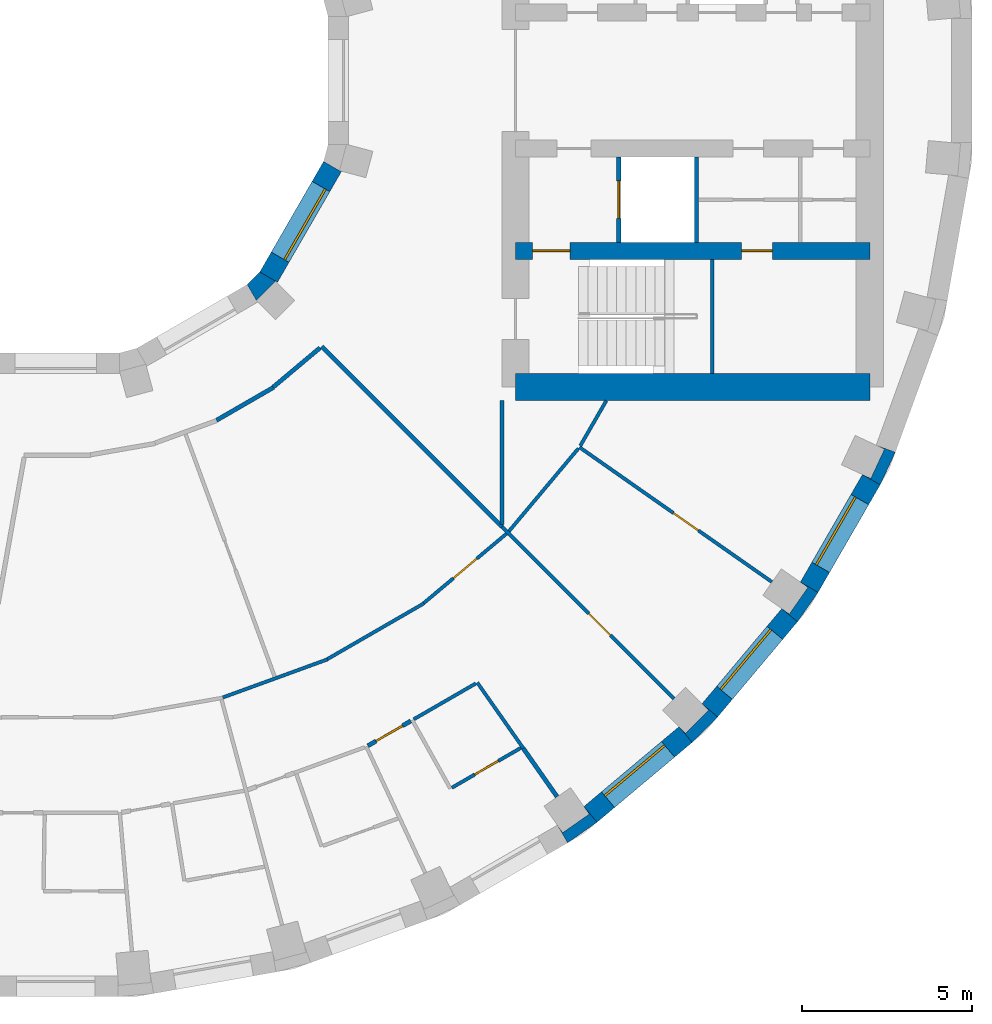
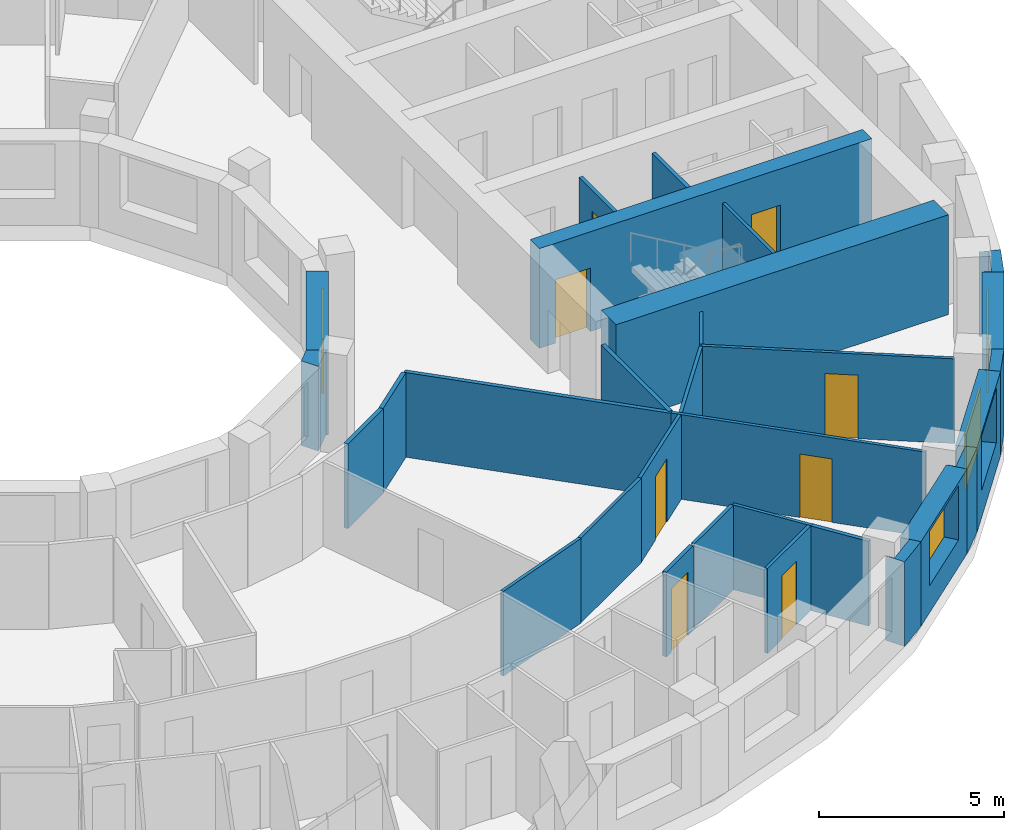
# One storey, part 8 of 14: 30 walls, 8 doors, 4 windows, 12 openings.
"""IFC4 building model written with IfcOpenShell, lengths in metres."""

from ifc_helpers import new_model, si_unit, direction, frame, frame_2d, origin, place, context, subcontext, project, spatial, polyline, rectangle, outline, extrude, material, layer, layer_set, type_object, element, fill, save


model = new_model("IFC4")

# Units and contexts
model_context = context("Model", 3, precision=1e-05, world=origin(), true_north=direction((0.0, 1.0)))
body_context = subcontext(model_context, "Body", "Model", "MODEL_VIEW")
ifc_project = project(units=[si_unit("LENGTHUNIT", "METRE"), si_unit("AREAUNIT", "SQUARE_METRE"), si_unit("VOLUMEUNIT", "CUBIC_METRE"), si_unit("PLANEANGLEUNIT", "RADIAN"), si_unit("MASSUNIT", "GRAM", prefix="KILO")], contexts=[model_context])

# Site, building, storey
site_placement = place(None, origin())
site = spatial("IfcSite", under=ifc_project, at=site_placement, CompositionType="ELEMENT")
building_placement = place(site_placement, origin())
building = spatial("IfcBuilding", under=site, at=building_placement, Name="Saqina Gate Tower", CompositionType="ELEMENT")
storey_placement = place(building_placement, frame((0.0, 0.0, 95.199951171875)))
storey = spatial("IfcBuildingStorey", under=building, at=storey_placement, Name="L26", CompositionType="ELEMENT", Elevation=95.199951171875)

# Walls
ifc_material_1 = material(Name="Brick masonry (buff)", Category="masonry")
wall_type_1 = type_object("IfcWallType", Name="BRICK PIER COPING BUFF", PredefinedType="SOLIDWALL", material=ifc_material_1)
wall_1_placement = place(storey_placement, origin())
element("IfcWall", 1, at=wall_1_placement, inside=storey, type_object=wall_type_1, Name="Pier cap L26 column 31", PredefinedType="SOLIDWALL", context=body_context, shape_type="SweptSolid", body=[
    extrude(outline(polyline([(15.89208984375, -21.77685546875), (15.50634765625, -21.317138671875), (15.66064453125, -21.53759765625), (14.88232421875, -22.08251953125), (14.728271484375, -21.862060546875), (15.0283203125, -22.3818359375), (15.89208984375, -21.77685546875)])), origin(), (0.0, 0.0, 1.0), 2.800048828125),
])
wall_2_placement = place(storey_placement, origin())
element("IfcWall", 2, at=wall_2_placement, inside=storey, type_object=wall_type_1, Name="Pier cap L26 column 32", PredefinedType="SOLIDWALL", context=body_context, shape_type="SweptSolid", body=[
    extrude(outline(polyline([(18.686279296875, -19.43212890625), (19.43212890625, -18.686279296875), (18.972412109375, -18.30078125), (19.16259765625, -18.49072265625), (18.49072265625, -19.16259765625), (18.30078125, -18.972412109375), (18.686279296875, -19.43212890625)])), origin(), (0.0, 0.0, 1.0), 2.800048828125),
])
wall_3_placement = place(storey_placement, origin())
element("IfcWall", 3, at=wall_3_placement, inside=storey, type_object=wall_type_1, Name="Pier cap L26 column 33", PredefinedType="SOLIDWALL", context=body_context, shape_type="SweptSolid", body=[
    extrude(outline(polyline([(22.3818359375, -15.0283203125), (21.862060546875, -14.728271484375), (22.08251953125, -14.88232421875), (21.53759765625, -15.66064453125), (21.317138671875, -15.50634765625), (21.77685546875, -15.89208984375), (22.3818359375, -15.0283203125)])), origin(), (0.0, 0.0, 1.0), 2.800048828125),
])
wall_4_placement = place(storey_placement, origin())
element("IfcWall", 4, at=wall_4_placement, inside=storey, type_object=wall_type_1, Name="Pier cap L26 column 34", PredefinedType="SOLIDWALL", context=body_context, shape_type="SweptSolid", body=[
    extrude(outline(polyline([(24.6513671875, -10.913330078125), (24.08740234375, -10.7080078125), (24.331298828125, -10.82177734375), (23.9296875, -11.6826171875), (23.68603515625, -11.569091796875), (24.205810546875, -11.869140625), (24.6513671875, -10.913330078125)])), origin(), (0.0, 0.0, 1.0), 2.800048828125),
])

# Wall, opening, window
ifc_material_2 = material(Name="Brick masonry (buff)", Category="masonry")
ifc_layer_1 = layer(ifc_material_2, 0.60009765625)
ifc_layer_set_1 = layer_set([ifc_layer_1], Name="FW-BRICK-BUFF")
wall_type_2 = type_object("IfcWallType", Name="FW-BRICK-BUFF", PredefinedType="SOLIDWALL", material=ifc_layer_set_1)
wall_5_placement = place(storey_placement, frame((15.69921875, -21.547119140625, 0.0), z_axis=(0.0, 0.0, 1.0), x_axis=(0.766055462616, 0.642774476932, 0.0)))
wall_5 = element("IfcWall", 5, at=wall_5_placement, inside=storey, type_object=wall_type_2, Name="Facade wall L26 facet 31", PredefinedType="SOLIDWALL", context=body_context, shape_type="SweptSolid", body=[
    extrude(rectangle(XDim=3.647705078125, YDim=0.60009765625, at=frame_2d((1.82373046875, 0.0))), origin(), (0.0, 0.0, 1.0), 2.800048828125),
])
opening_1_placement = place(wall_5_placement, frame((0.673828125, 0.0, 0.89990234375)))
opening_1 = element("IfcOpeningElement", 6, at=opening_1_placement, cuts=wall_5, Name="Opening G07-W20", PredefinedType="OPENING", context=body_context, shape_type="SweptSolid", body=[
    extrude(rectangle(XDim=2.300048828125, YDim=1.800048828125, at=frame_2d((1.14990234375, 0.89990234375))), frame((0.0, 0.31201171875, 0.0), z_axis=(0.0, -1.0, 0.0), x_axis=(1.0, 0.0, 0.0)), (0.0, 0.0, 1.0), 0.6240234375),
])
ifc_material_3 = material(Name="Aluminium glazing", Category="aluminium")
window_type_1 = type_object("IfcWindowType", Name="WN-B", PartitioningType="SINGLE_PANEL", PredefinedType="WINDOW", material=ifc_material_3)
window_1_placement = place(opening_1_placement, origin())
window_1 = element("IfcWindow", 7, at=window_1_placement, inside=storey, type_object=window_type_1, Name="Window L26 facet 31", OverallHeight=1.800048828125, OverallWidth=2.300048828125, PartitioningType="SINGLE_PANEL", PredefinedType="WINDOW", context=body_context, shape_type="SweptSolid", body=[
    extrude(rectangle(XDim=2.300048828125, YDim=1.800048828125, at=frame_2d((1.14990234375, 0.89990234375))), frame((0.0, 0.179931640625, 0.0), z_axis=(0.0, -1.0, 0.0), x_axis=(1.0, 0.0, 0.0)), (0.0, 0.0, 1.0), 0.06005859375),
])
fill(opening_1, window_1)

wall_6_placement = place(storey_placement, frame((19.202392578125, -18.49365234375, 0.0), z_axis=(0.0, 0.0, 1.0), x_axis=(0.642774476932, 0.766055462616, 0.0)))
wall_6 = element("IfcWall", 8, at=wall_6_placement, inside=storey, type_object=wall_type_2, Name="Facade wall L26 facet 32", PredefinedType="SOLIDWALL", context=body_context, shape_type="SweptSolid", body=[
    extrude(rectangle(XDim=3.647705078125, YDim=0.60009765625, at=frame_2d((1.82373046875, 0.0))), origin(), (0.0, 0.0, 1.0), 2.800048828125),
])
opening_2_placement = place(wall_6_placement, frame((0.673828125, 0.0, 0.89990234375)))
opening_2 = element("IfcOpeningElement", 9, at=opening_2_placement, cuts=wall_6, Name="Opening G07-W21", PredefinedType="OPENING", context=body_context, shape_type="SweptSolid", body=[
    extrude(rectangle(XDim=2.300048828125, YDim=1.800048828125, at=frame_2d((1.14990234375, 0.89990234375))), frame((0.0, 0.31201171875, 0.0), z_axis=(0.0, -1.0, 0.0), x_axis=(1.0, 0.0, 0.0)), (0.0, 0.0, 1.0), 0.6240234375),
])
window_2_placement = place(opening_2_placement, origin())
window_2 = element("IfcWindow", 10, at=window_2_placement, inside=storey, type_object=window_type_1, Name="Window L26 facet 32", OverallHeight=1.800048828125, OverallWidth=2.300048828125, PartitioningType="SINGLE_PANEL", PredefinedType="WINDOW", context=body_context, shape_type="SweptSolid", body=[
    extrude(rectangle(XDim=2.300048828125, YDim=1.800048828125, at=frame_2d((1.14990234375, 0.89990234375))), frame((0.0, 0.179931640625, 0.0), z_axis=(0.0, -1.0, 0.0), x_axis=(1.0, 0.0, 0.0)), (0.0, 0.0, 1.0), 0.06005859375),
])
fill(opening_2, window_2)

wall_7_placement = place(storey_placement, frame((22.1220703125, -14.878173828125, 0.0), z_axis=(0.0, 0.0, 1.0), x_axis=(0.499954196102, 0.866051847062, 0.0)))
wall_7 = element("IfcWall", 11, at=wall_7_placement, inside=storey, type_object=wall_type_2, Name="Facade wall L26 facet 33", PredefinedType="SOLIDWALL", context=body_context, shape_type="SweptSolid", body=[
    extrude(rectangle(XDim=3.647705078125, YDim=0.60009765625, at=frame_2d((1.82373046875, 0.0))), origin(), (0.0, 0.0, 1.0), 2.800048828125),
])
opening_3_placement = place(wall_7_placement, frame((0.673828125, 0.0, 0.89990234375)))
opening_3 = element("IfcOpeningElement", 12, at=opening_3_placement, cuts=wall_7, Name="Opening G07-W22", PredefinedType="OPENING", context=body_context, shape_type="SweptSolid", body=[
    extrude(rectangle(XDim=2.300048828125, YDim=1.800048828125, at=frame_2d((1.14990234375, 0.89990234375))), frame((0.0, 0.31201171875, 0.0), z_axis=(0.0, -1.0, 0.0), x_axis=(1.0, 0.0, 0.0)), (0.0, 0.0, 1.0), 0.6240234375),
])
window_3_placement = place(opening_3_placement, origin())
window_3 = element("IfcWindow", 13, at=window_3_placement, inside=storey, type_object=window_type_1, Name="Window L26 facet 33", OverallHeight=1.800048828125, OverallWidth=2.300048828125, PartitioningType="SINGLE_PANEL", PredefinedType="WINDOW", context=body_context, shape_type="SweptSolid", body=[
    extrude(rectangle(XDim=2.300048828125, YDim=1.800048828125, at=frame_2d((1.14990234375, 0.89990234375))), frame((0.0, 0.179931640625, 0.0), z_axis=(0.0, -1.0, 0.0), x_axis=(1.0, 0.0, 0.0)), (0.0, 0.0, 1.0), 0.06005859375),
])
fill(opening_3, window_3)

ifc_material_4 = material(Name="Glazed ceramic tile", Category="ceramic")
ifc_layer_2 = layer(ifc_material_4, 0.60009765625)
ifc_layer_set_2 = layer_set([ifc_layer_2], Name="IW-TILE")
wall_type_3 = type_object("IfcWallType", Name="IW-TILE", PredefinedType="SOLIDWALL", material=ifc_layer_set_2)
wall_8_placement = place(storey_placement, frame((6.251220703125, -5.772705078125, 0.0), z_axis=(0.0, 0.0, 1.0), x_axis=(0.499964958637, 0.86604563398, 0.0)))
wall_8 = element("IfcWall", 14, at=wall_8_placement, inside=storey, type_object=wall_type_3, Name="Well wall L26 facet 11", PredefinedType="SOLIDWALL", context=body_context, shape_type="SweptSolid", body=[
    extrude(rectangle(XDim=3.747314453125, YDim=0.60009765625, at=frame_2d((1.87353515625, 0.0))), origin(), (0.0, 0.0, 1.0), 2.800048828125),
])
opening_4_placement = place(wall_8_placement, frame((0.673583984375, 0.0, 0.89990234375)))
opening_4 = element("IfcOpeningElement", 15, at=opening_4_placement, cuts=wall_8, Name="Opening G07-W33", PredefinedType="OPENING", context=body_context, shape_type="SweptSolid", body=[
    extrude(rectangle(XDim=2.39990234375, YDim=1.800048828125, at=frame_2d((1.199951171875, 0.89990234375))), frame((0.0, 0.31201171875, 0.0), z_axis=(0.0, -1.0, 0.0), x_axis=(1.0, 0.0, 0.0)), (0.0, 0.0, 1.0), 0.6240234375),
])
ifc_material_5 = material(Name="Aluminium glazing", Category="aluminium")
window_type_2 = type_object("IfcWindowType", Name="WN-W", PartitioningType="SINGLE_PANEL", PredefinedType="WINDOW", material=ifc_material_5)
window_4_placement = place(opening_4_placement, origin())
window_4 = element("IfcWindow", 16, at=window_4_placement, inside=storey, type_object=window_type_2, Name="Well window L26 facet 11", OverallHeight=1.800048828125, OverallWidth=2.39990234375, PartitioningType="SINGLE_PANEL", PredefinedType="WINDOW", context=body_context, shape_type="SweptSolid", body=[
    extrude(rectangle(XDim=2.39990234375, YDim=1.800048828125, at=frame_2d((1.199951171875, 0.89990234375))), frame((0.0, -0.119873046875, 0.0), z_axis=(0.0, -1.0, 0.0), x_axis=(1.0, 0.0, 0.0)), (0.0, 0.0, 1.0), 0.06005859375),
])
fill(opening_4, window_4)

# Wall
ifc_material_6 = material(Name="Gypsum board on steel studs, 100 mm", Category="steel")
ifc_layer_3 = layer(ifc_material_6, 0.10009765625)
ifc_layer_set_3 = layer_set([ifc_layer_3], Name="PARTITION 100")
wall_type_4 = type_object("IfcWallType", Name="PARTITION 100", PredefinedType="PARTITIONING", material=ifc_layer_set_3)
wall_9_placement = place(storey_placement, frame((12.376953125, -17.677001953125, 0.0), z_axis=(0.0, 0.0, 1.0), x_axis=(0.573802663203, -0.818993591978, 0.0)))
element("IfcWall", 17, at=wall_9_placement, inside=storey, type_object=wall_type_4, Name="PARTITION PW3-14", PredefinedType="PARTITIONING", context=body_context, shape_type="SweptSolid", body=[
    extrude(rectangle(XDim=2.35888671875, YDim=0.10009765625, at=frame_2d((1.179443359375, 0.0))), origin(), (0.0, 0.0, 1.0), 2.800048828125),
])

# Wall, opening, door
wall_10_placement = place(storey_placement, frame((13.10009765625, -13.10009765625, 0.0), z_axis=(0.0, 0.0, 1.0), x_axis=(0.707106781187, -0.707106781187, 0.0)))
wall_10 = element("IfcWall", 18, at=wall_10_placement, inside=storey, type_object=wall_type_4, Name="PARTITION PW3-22", PredefinedType="PARTITIONING", context=body_context, shape_type="SweptSolid", body=[
    extrude(rectangle(XDim=7.138671875, YDim=0.10009765625, at=frame_2d((3.5693359375, 0.0))), origin(), (0.0, 0.0, 1.0), 2.800048828125),
])
opening_5_placement = place(wall_10_placement, frame((3.60888671875, 0.0, 0.0)))
opening_5 = element("IfcOpeningElement", 19, at=opening_5_placement, cuts=wall_10, Name="Opening G07-D49", PredefinedType="OPENING", context=body_context, shape_type="SweptSolid", body=[
    extrude(rectangle(XDim=0.89990234375, YDim=2.10009765625, at=frame_2d((0.449951171875, 1.050048828125))), frame((0.0, 0.06201171875, 0.0), z_axis=(0.0, -1.0, 0.0), x_axis=(1.0, 0.0, 0.0)), (0.0, 0.0, 1.0), 0.1240234375),
])
ifc_material_7 = material(Name="Timber door leaf, 900 mm", Category="wood")
door_type_1 = type_object("IfcDoorType", Name="DOOR 900 TIMBER", OperationType="SINGLE_SWING_LEFT", PredefinedType="DOOR", material=ifc_material_7)
door_1_placement = place(opening_5_placement, frame((0.89990234375, 0.0, 0.0), z_axis=(0.0, 0.0, 1.0), x_axis=(-1.0, 0.0, 0.0)))
door_1 = element("IfcDoor", 20, at=door_1_placement, inside=storey, type_object=door_type_1, Name="DOOR G07-D49", OperationType="SINGLE_SWING_LEFT", OverallHeight=2.10009765625, OverallWidth=0.89990234375, PredefinedType="DOOR", context=body_context, shape_type="SweptSolid", body=[
    extrude(rectangle(XDim=0.89990234375, YDim=2.10009765625, at=frame_2d((0.449951171875, 1.050048828125))), frame((0.0, 0.02490234375, 0.0), z_axis=(0.0, -1.0, 0.0), x_axis=(1.0, 0.0, 0.0)), (0.0, 0.0, 1.0), 0.050048828125),
])
fill(opening_5, door_1)

wall_11_placement = place(storey_placement, frame((15.3759765625, -10.76611328125, 0.0), z_axis=(0.0, 0.0, 1.0), x_axis=(0.819178682921, -0.573538390562, 0.0)))
wall_11 = element("IfcWall", 21, at=wall_11_placement, inside=storey, type_object=wall_type_4, Name="PARTITION PW3-29", PredefinedType="PARTITIONING", context=body_context, shape_type="SweptSolid", body=[
    extrude(rectangle(XDim=6.89453125, YDim=0.10009765625, at=frame_2d((3.447265625, 0.0))), origin(), (0.0, 0.0, 1.0), 2.800048828125),
])
opening_6_placement = place(wall_11_placement, frame((3.36474609375, 0.0, 0.0)))
opening_6 = element("IfcOpeningElement", 22, at=opening_6_placement, cuts=wall_11, Name="Opening G07-D50", PredefinedType="OPENING", context=body_context, shape_type="SweptSolid", body=[
    extrude(rectangle(XDim=0.89990234375, YDim=2.10009765625, at=frame_2d((0.449951171875, 1.050048828125))), frame((0.0, 0.06201171875, 0.0), z_axis=(0.0, -1.0, 0.0), x_axis=(1.0, 0.0, 0.0)), (0.0, 0.0, 1.0), 0.1240234375),
])
door_2_placement = place(opening_6_placement, origin())
door_2 = element("IfcDoor", 23, at=door_2_placement, inside=storey, type_object=door_type_1, Name="DOOR G07-D50", OperationType="SINGLE_SWING_RIGHT", OverallHeight=2.10009765625, OverallWidth=0.89990234375, PredefinedType="DOOR", context=body_context, shape_type="SweptSolid", body=[
    extrude(rectangle(XDim=0.89990234375, YDim=2.10009765625, at=frame_2d((0.449951171875, 1.050048828125))), frame((0.0, 0.02490234375, 0.0), z_axis=(0.0, -1.0, 0.0), x_axis=(1.0, 0.0, 0.0)), (0.0, 0.0, 1.0), 0.050048828125),
])
fill(opening_6, door_2)

# Wall
wall_12_placement = place(storey_placement, frame((4.905029296875, -18.114013671875, 0.0), z_axis=(0.0, 0.0, 1.0), x_axis=(0.939675767225, 0.342066444554, 0.0)))
element("IfcWall", 24, at=wall_12_placement, inside=storey, type_object=wall_type_4, Name="PARTITION PW3-67", PredefinedType="PARTITIONING", context=body_context, shape_type="SweptSolid", body=[
    extrude(rectangle(XDim=3.273193359375, YDim=0.10009765625, at=frame_2d((1.63671875, 0.0))), origin(), (0.0, 0.0, 1.0), 2.800048828125),
])

# Wall, opening, door
wall_13_placement = place(storey_placement, frame((11.63134765625, -20.762939453125, 0.0), z_axis=(0.0, 0.0, 1.0), x_axis=(0.866102146699, 0.499867053809, 0.0)))
wall_13 = element("IfcWall", 25, at=wall_13_placement, inside=storey, type_object=wall_type_4, Name="PARTITION PW3-71", PredefinedType="PARTITIONING", context=body_context, shape_type="SweptSolid", body=[
    extrude(rectangle(XDim=2.338623046875, YDim=0.10009765625, at=frame_2d((1.16943359375, 0.0))), origin(), (0.0, 0.0, 1.0), 2.800048828125),
])
opening_7_placement = place(wall_13_placement, frame((0.7705078125, 0.0, 0.0)))
opening_7 = element("IfcOpeningElement", 26, at=opening_7_placement, cuts=wall_13, Name="Opening G07-D47", PredefinedType="OPENING", context=body_context, shape_type="SweptSolid", body=[
    extrude(rectangle(XDim=0.800048828125, YDim=2.10009765625, at=frame_2d((0.39990234375, 1.050048828125))), frame((0.0, 0.06201171875, 0.0), z_axis=(0.0, -1.0, 0.0), x_axis=(1.0, 0.0, 0.0)), (0.0, 0.0, 1.0), 0.1240234375),
])
ifc_material_8 = material(Name="Timber door leaf, 800 mm", Category="wood")
door_type_2 = type_object("IfcDoorType", Name="DOOR 800 TIMBER", OperationType="SINGLE_SWING_LEFT", PredefinedType="DOOR", material=ifc_material_8)
door_3_placement = place(opening_7_placement, frame((0.800048828125, 0.0, 0.0), z_axis=(0.0, 0.0, 1.0), x_axis=(-1.0, 0.0, 0.0)))
door_3 = element("IfcDoor", 27, at=door_3_placement, inside=storey, type_object=door_type_2, Name="DOOR G07-D47", OperationType="SINGLE_SWING_LEFT", OverallHeight=2.10009765625, OverallWidth=0.800048828125, PredefinedType="DOOR", context=body_context, shape_type="SweptSolid", body=[
    extrude(rectangle(XDim=0.800048828125, YDim=2.10009765625, at=frame_2d((0.39990234375, 1.050048828125))), frame((0.0, 0.02490234375, 0.0), z_axis=(0.0, -1.0, 0.0), x_axis=(1.0, 0.0, 0.0)), (0.0, 0.0, 1.0), 0.050048828125),
])
fill(opening_7, door_3)

# Walls
wall_14_placement = place(storey_placement, frame((10.51123046875, -18.75390625, 0.0), z_axis=(0.0, 0.0, 1.0), x_axis=(0.866117845619, 0.499839851853, 0.0)))
element("IfcWall", 28, at=wall_14_placement, inside=storey, type_object=wall_type_4, Name="PARTITION PW3-72", PredefinedType="PARTITIONING", context=body_context, shape_type="SweptSolid", body=[
    extrude(rectangle(XDim=2.100341796875, YDim=0.10009765625, at=frame_2d((1.05029296875, 0.0))), origin(), (0.0, 0.0, 1.0), 2.800048828125),
])
wall_15_placement = place(storey_placement, frame((7.976318359375, -16.987060546875, 0.0), z_axis=(0.0, 0.0, 1.0), x_axis=(0.865970626093, 0.500094865745, 0.0)))
element("IfcWall", 29, at=wall_15_placement, inside=storey, type_object=wall_type_4, Name="PARTITION PW3-73", PredefinedType="PARTITIONING", context=body_context, shape_type="SweptSolid", body=[
    extrude(rectangle(XDim=3.272216796875, YDim=0.10009765625, at=frame_2d((1.63623046875, 0.0))), origin(), (0.0, 0.0, 1.0), 2.800048828125),
])

# Wall, opening, door
wall_16_placement = place(storey_placement, frame((10.80419921875, -15.34375, 0.0), z_axis=(0.0, 0.0, 1.0), x_axis=(0.766167094934, 0.642641410618, 0.0)))
wall_16 = element("IfcWall", 30, at=wall_16_placement, inside=storey, type_object=wall_type_4, Name="PARTITION PW3-78", PredefinedType="PARTITIONING", context=body_context, shape_type="SweptSolid", body=[
    extrude(rectangle(XDim=3.172119140625, YDim=0.10009765625, at=frame_2d((1.5859375, 0.0))), origin(), (0.0, 0.0, 1.0), 2.800048828125),
])
opening_8_placement = place(wall_16_placement, frame((1.135986328125, 0.0, 0.0)))
opening_8 = element("IfcOpeningElement", 31, at=opening_8_placement, cuts=wall_16, Name="Opening G07-D48", PredefinedType="OPENING", context=body_context, shape_type="SweptSolid", body=[
    extrude(rectangle(XDim=0.89990234375, YDim=2.10009765625, at=frame_2d((0.449951171875, 1.050048828125))), frame((0.0, 0.06201171875, 0.0), z_axis=(0.0, -1.0, 0.0), x_axis=(1.0, 0.0, 0.0)), (0.0, 0.0, 1.0), 0.1240234375),
])
door_4_placement = place(opening_8_placement, origin())
door_4 = element("IfcDoor", 32, at=door_4_placement, inside=storey, type_object=door_type_1, Name="DOOR G07-D48", OperationType="SINGLE_SWING_LEFT", OverallHeight=2.10009765625, OverallWidth=0.89990234375, PredefinedType="DOOR", context=body_context, shape_type="SweptSolid", body=[
    extrude(rectangle(XDim=0.89990234375, YDim=2.10009765625, at=frame_2d((0.449951171875, 1.050048828125))), frame((0.0, 0.02490234375, 0.0), z_axis=(0.0, -1.0, 0.0), x_axis=(1.0, 0.0, 0.0)), (0.0, 0.0, 1.0), 0.050048828125),
])
fill(opening_8, door_4)

# Walls
wall_17_placement = place(storey_placement, frame((13.30517578125, -13.234619140625, 0.0), z_axis=(0.0, 0.0, 1.0), x_axis=(0.642641410618, 0.766167094934, 0.0)))
element("IfcWall", 33, at=wall_17_placement, inside=storey, type_object=wall_type_4, Name="PARTITION PW3-82", PredefinedType="PARTITIONING", context=body_context, shape_type="SweptSolid", body=[
    extrude(rectangle(XDim=3.172119140625, YDim=0.10009765625, at=frame_2d((1.5859375, 0.0))), origin(), (0.0, 0.0, 1.0), 2.800048828125),
])
wall_18_placement = place(storey_placement, frame((15.401123046875, -10.72265625, 0.0), z_axis=(0.0, 0.0, 1.0), x_axis=(0.500035603698, 0.866004847004, 0.0)))
element("IfcWall", 34, at=wall_18_placement, inside=storey, type_object=wall_type_4, Name="PARTITION PW3-88", PredefinedType="PARTITIONING", context=body_context, shape_type="SweptSolid", body=[
    extrude(rectangle(XDim=1.52978515625, YDim=0.10009765625, at=frame_2d((0.764892578125, 0.0))), origin(), (0.0, 0.0, 1.0), 2.800048828125),
])
ifc_material_9 = material(Name="Gypsum board on steel studs, 125 mm, fire rated", Category="steel")
ifc_layer_4 = layer(ifc_material_9, 0.125)
ifc_layer_set_4 = layer_set([ifc_layer_4], Name="PARTITION EI 30 125")
wall_type_5 = type_object("IfcWallType", Name="PARTITION EI 30 125", PredefinedType="PARTITIONING", material=ifc_layer_set_4)
wall_19_placement = place(storey_placement, frame((13.728515625, -19.610107421875, 0.0), z_axis=(0.0, 0.0, 1.0), x_axis=(0.5734149023, -0.819265127917, 0.0)))
element("IfcWall", 35, at=wall_19_placement, inside=storey, type_object=wall_type_5, Name="PARTITION PW1-06", PredefinedType="PARTITIONING", context=body_context, shape_type="SweptSolid", body=[
    extrude(rectangle(XDim=1.726806640625, YDim=0.125, at=frame_2d((0.86328125, 0.0))), origin(), (0.0, 0.0, 1.0), 2.800048828125),
])
wall_20_placement = place(storey_placement, frame((7.80810546875, -7.80810546875, 0.0), z_axis=(0.0, 0.0, 1.0), x_axis=(0.707106781187, -0.707106781187, 0.0)))
element("IfcWall", 36, at=wall_20_placement, inside=storey, type_object=wall_type_5, Name="PARTITION PW1-10", PredefinedType="PARTITIONING", context=body_context, shape_type="SweptSolid", body=[
    extrude(rectangle(XDim=7.48388671875, YDim=0.125, at=frame_2d((3.741943359375, 0.0))), origin(), (0.0, 0.0, 1.0), 2.800048828125),
])

# Wall, opening, door
wall_21_placement = place(storey_placement, frame((9.163330078125, -19.532958984375, 0.0), z_axis=(0.0, 0.0, 1.0), x_axis=(0.865819905352, 0.500355764928, 0.0)))
wall_21 = element("IfcWall", 37, at=wall_21_placement, inside=storey, type_object=wall_type_5, Name="PARTITION PW1-39", PredefinedType="PARTITIONING", context=body_context, shape_type="SweptSolid", body=[
    extrude(rectangle(XDim=1.45703125, YDim=0.125, at=frame_2d((0.728515625, 0.0))), origin(), (0.0, 0.0, 1.0), 2.800048828125),
])
opening_9_placement = place(wall_21_placement, frame((0.278564453125, 0.0, 0.0)))
opening_9 = element("IfcOpeningElement", 38, at=opening_9_placement, cuts=wall_21, Name="Opening G07-D46", PredefinedType="OPENING", context=body_context, shape_type="SweptSolid", body=[
    extrude(rectangle(XDim=0.89990234375, YDim=2.10009765625, at=frame_2d((0.449951171875, 1.050048828125))), frame((0.0, 0.074462890625, 0.0), z_axis=(0.0, -1.0, 0.0), x_axis=(1.0, 0.0, 0.0)), (0.0, 0.0, 1.0), 0.14892578125),
])
ifc_material_10 = material(Name="Fire door leaf EI 30, 900 mm")
door_type_3 = type_object("IfcDoorType", Name="DOOR 900 EI 30", OperationType="SINGLE_SWING_LEFT", PredefinedType="DOOR", material=ifc_material_10)
door_5_placement = place(opening_9_placement, origin())
door_5 = element("IfcDoor", 39, at=door_5_placement, inside=storey, type_object=door_type_3, Name="DOOR G07-D46", OperationType="SINGLE_SWING_LEFT", OverallHeight=2.10009765625, OverallWidth=0.89990234375, PredefinedType="DOOR", context=body_context, shape_type="SweptSolid", body=[
    extrude(rectangle(XDim=0.89990234375, YDim=2.10009765625, at=frame_2d((0.449951171875, 1.050048828125))), frame((0.0, 0.02490234375, 0.0), z_axis=(0.0, -1.0, 0.0), x_axis=(1.0, 0.0, 0.0)), (0.0, 0.0, 1.0), 0.050048828125),
])
fill(opening_9, door_5)

# Walls
wall_22_placement = place(storey_placement, frame((4.72119140625, -9.975830078125, 0.0), z_axis=(0.0, 0.0, 1.0), x_axis=(0.865946867621, 0.500136003959, 0.0)))
element("IfcWall", 40, at=wall_22_placement, inside=storey, type_object=wall_type_5, Name="PARTITION PW1-40", PredefinedType="PARTITIONING", context=body_context, shape_type="SweptSolid", body=[
    extrude(rectangle(XDim=1.9248046875, YDim=0.125, at=frame_2d((0.96240234375, 0.0))), origin(), (0.0, 0.0, 1.0), 2.800048828125),
])
wall_23_placement = place(storey_placement, frame((6.380859375, -9.0048828125, 0.0), z_axis=(0.0, 0.0, 1.0), x_axis=(0.766182926266, 0.642622535785, 0.0)))
element("IfcWall", 41, at=wall_23_placement, inside=storey, type_object=wall_type_5, Name="PARTITION PW1-41", PredefinedType="PARTITIONING", context=body_context, shape_type="SweptSolid", body=[
    extrude(rectangle(XDim=1.800048828125, YDim=0.125, at=frame_2d((0.89990234375, 0.0))), origin(), (0.0, 0.0, 1.0), 2.800048828125),
])
wall_24_placement = place(storey_placement, frame((13.10009765625, -13.03759765625, 0.0), z_axis=(0.0, 0.0, 1.0), x_axis=(0.0, 1.0, 0.0)))
element("IfcWall", 42, at=wall_24_placement, inside=storey, type_object=wall_type_5, Name="PARTITION PW1-49", PredefinedType="PARTITIONING", context=body_context, shape_type="SweptSolid", body=[
    extrude(rectangle(XDim=3.6376953125, YDim=0.125, at=frame_2d((1.81884765625, 0.0))), origin(), (0.0, 0.0, 1.0), 2.800048828125),
])

# Wall, opening, door
ifc_material_11 = material(Name="Autoclaved aerated concrete block", Category="concrete")
ifc_layer_5 = layer(ifc_material_11, 0.1201171875)
ifc_layer_set_5 = layer_set([ifc_layer_5], Name="SHAFT PARTITION")
wall_type_6 = type_object("IfcWallType", Name="SHAFT PARTITION", PredefinedType="PARTITIONING", material=ifc_layer_set_5)
wall_25_placement = place(storey_placement, frame((16.530029296875, -4.75, 0.0), z_axis=(0.0, 0.0, 1.0), x_axis=(0.0, 1.0, 0.0)))
wall_25 = element("IfcWall", 43, at=wall_25_placement, inside=storey, type_object=wall_type_6, Name="L26-CP-E05", PredefinedType="PARTITIONING", context=body_context, shape_type="SweptSolid", body=[
    extrude(rectangle(XDim=2.5, YDim=0.1201171875, at=frame_2d((1.25, 0.0))), origin(), (0.0, 0.0, 1.0), 2.800048828125),
])
opening_10_placement = place(wall_25_placement, frame((0.699951171875, 0.0, 0.0)))
opening_10 = element("IfcOpeningElement", 44, at=opening_10_placement, cuts=wall_25, Name="Opening G07-LD2", PredefinedType="OPENING", context=body_context, shape_type="SweptSolid", body=[
    extrude(rectangle(XDim=1.10009765625, YDim=2.10009765625, at=frame_2d((0.550048828125, 1.050048828125))), frame((0.0, 0.072021484375, 0.0), z_axis=(0.0, -1.0, 0.0), x_axis=(1.0, 0.0, 0.0)), (0.0, 0.0, 1.0), 0.14404296875),
])
ifc_material_12 = material(Name="Stainless steel", Category="steel")
door_type_4 = type_object("IfcDoorType", Name="LANDING DOOR", OperationType="DOUBLE_DOOR_SLIDING", PredefinedType="DOOR", material=ifc_material_12)
door_6_placement = place(opening_10_placement, origin())
door_6 = element("IfcDoor", 45, at=door_6_placement, inside=storey, type_object=door_type_4, Name="LANDING DOOR FF1", OperationType="DOUBLE_DOOR_SLIDING", OverallHeight=2.10009765625, OverallWidth=1.10009765625, PredefinedType="DOOR", context=body_context, shape_type="SweptSolid", body=[
    extrude(rectangle(XDim=1.10009765625, YDim=2.10009765625, at=frame_2d((0.550048828125, 1.050048828125))), frame((0.0, 0.02490234375, 0.0), z_axis=(0.0, -1.0, 0.0), x_axis=(1.0, 0.0, 0.0)), (0.0, 0.0, 1.0), 0.050048828125),
])
fill(opening_10, door_6)

# Walls
wall_26_placement = place(storey_placement, frame((18.81005859375, -4.75, 0.0), z_axis=(0.0, 0.0, 1.0), x_axis=(0.0, 1.0, 0.0)))
element("IfcWall", 46, at=wall_26_placement, inside=storey, type_object=wall_type_6, Name="L26-CP-E06", PredefinedType="PARTITIONING", context=body_context, shape_type="SweptSolid", body=[
    extrude(rectangle(XDim=2.5, YDim=0.1201171875, at=frame_2d((1.25, 0.0))), origin(), (0.0, 0.0, 1.0), 2.800048828125),
])
ifc_material_13 = material(Name="Autoclaved aerated concrete block", Category="concrete")
ifc_layer_6 = layer(ifc_material_13, 0.10009765625)
ifc_layer_set_6 = layer_set([ifc_layer_6], Name="STAIR ENCLOSURE WALL")
wall_type_7 = type_object("IfcWallType", Name="STAIR ENCLOSURE WALL", PredefinedType="PARTITIONING", material=ifc_layer_set_6)
wall_27_placement = place(storey_placement, frame((19.27001953125, -8.60009765625, 0.0), z_axis=(0.0, 0.0, 1.0), x_axis=(0.0, 1.0, 0.0)))
element("IfcWall", 47, at=wall_27_placement, inside=storey, type_object=wall_type_7, Name="L26-CP-E14", PredefinedType="PARTITIONING", context=body_context, shape_type="SweptSolid", body=[
    extrude(rectangle(XDim=3.35009765625, YDim=0.10009765625, at=frame_2d((1.675048828125, 0.0))), origin(), (0.0, 0.0, 1.0), 2.800048828125),
])

# Wall, openings, doors
ifc_material_14 = material(Name="Concrete C70/85", Category="concrete")
ifc_layer_7 = layer(ifc_material_14, 0.5)
ifc_layer_set_7 = layer_set([ifc_layer_7], Name="Concrete C70/85")
wall_type_8 = type_object("IfcWallType", Name="STR-CORE WALL-B-I", PredefinedType="SHEAR", material=ifc_layer_set_7)
wall_28_placement = place(storey_placement, frame((13.5, -5.0, 0.0), z_axis=(0.0, 0.0, 1.0), x_axis=(1.0, 0.0, 0.0)))
wall_28 = element("IfcWall", 48, at=wall_28_placement, inside=storey, type_object=wall_type_8, Name="CORE WALL L26 E-X2", PredefinedType="SHEAR", context=body_context, shape_type="SweptSolid", body=[
    extrude(rectangle(XDim=10.39990234375, YDim=0.5, at=frame_2d((5.199951171875, 0.0))), origin(), (0.0, 0.0, 1.0), 3.300048828125),
])
opening_11_placement = place(wall_28_placement, frame((6.63916015625, 0.0, 0.0)))
opening_11 = element("IfcOpeningElement", 49, at=opening_11_placement, cuts=wall_28, Name="Opening G07-D136", PredefinedType="OPENING", context=body_context, shape_type="SweptSolid", body=[
    extrude(rectangle(XDim=0.89990234375, YDim=2.10009765625, at=frame_2d((0.449951171875, 1.050048828125))), frame((0.0, 0.261962890625, 0.0), z_axis=(0.0, -1.0, 0.0), x_axis=(1.0, 0.0, 0.0)), (0.0, 0.0, 1.0), 0.52392578125),
])
opening_12_placement = place(wall_28_placement, frame((0.5, 0.0, 0.0)))
opening_12 = element("IfcOpeningElement", 50, at=opening_12_placement, cuts=wall_28, Name="Opening G07-D101", PredefinedType="OPENING", context=body_context, shape_type="SweptSolid", body=[
    extrude(rectangle(XDim=1.10009765625, YDim=2.10009765625, at=frame_2d((0.550048828125, 1.050048828125))), frame((0.0, 0.261962890625, 0.0), z_axis=(0.0, -1.0, 0.0), x_axis=(1.0, 0.0, 0.0)), (0.0, 0.0, 1.0), 0.52392578125),
])
ifc_material_15 = material(Name="Steel", Category="steel")
door_type_5 = type_object("IfcDoorType", Name="FIRE LOBBY DOOR EI 60 WIDE", OperationType="SINGLE_SWING_LEFT", PredefinedType="DOOR", material=ifc_material_15)
door_7_placement = place(opening_12_placement, frame((1.10009765625, 0.0, 0.0), z_axis=(0.0, 0.0, 1.0), x_axis=(-1.0, 0.0, 0.0)))
door_7 = element("IfcDoor", 51, at=door_7_placement, inside=storey, type_object=door_type_5, Name="L26-CD-E15", OperationType="SINGLE_SWING_RIGHT", OverallHeight=2.10009765625, OverallWidth=1.10009765625, PredefinedType="DOOR", context=body_context, shape_type="SweptSolid", body=[
    extrude(rectangle(XDim=1.10009765625, YDim=2.10009765625, at=frame_2d((0.550048828125, 1.050048828125))), frame((0.0, 0.02490234375, 0.0), z_axis=(0.0, -1.0, 0.0), x_axis=(1.0, 0.0, 0.0)), (0.0, 0.0, 1.0), 0.050048828125),
])
fill(opening_12, door_7)
ifc_material_16 = material(Name="Steel-framed fire door leaf, EI 60", Category="steel")
door_type_6 = type_object("IfcDoorType", Name="SERVICE ROOM DOOR 900", OperationType="SINGLE_SWING_LEFT", PredefinedType="DOOR", material=ifc_material_16)
door_8_placement = place(opening_11_placement, frame((0.89990234375, 0.0, 0.0), z_axis=(0.0, 0.0, 1.0), x_axis=(-1.0, 0.0, 0.0)))
door_8 = element("IfcDoor", 52, at=door_8_placement, inside=storey, type_object=door_type_6, Name="L26-CD-E14", OperationType="SINGLE_SWING_LEFT", OverallHeight=2.10009765625, OverallWidth=0.89990234375, PredefinedType="DOOR", context=body_context, shape_type="SweptSolid", body=[
    extrude(rectangle(XDim=0.89990234375, YDim=2.10009765625, at=frame_2d((0.449951171875, 1.050048828125))), frame((0.0, 0.02490234375, 0.0), z_axis=(0.0, -1.0, 0.0), x_axis=(1.0, 0.0, 0.0)), (0.0, 0.0, 1.0), 0.050048828125),
])
fill(opening_11, door_8)

# Walls
ifc_material_17 = material(Name="Concrete C70/85", Category="concrete")
ifc_layer_8 = layer(ifc_material_17, 0.800048828125)
ifc_layer_set_8 = layer_set([ifc_layer_8], Name="Concrete C70/85")
wall_type_9 = type_object("IfcWallType", Name="STR-CORE WALL-B-O", PredefinedType="SHEAR", material=ifc_layer_set_8)
wall_29_placement = place(storey_placement, frame((13.5, -9.0, 0.0), z_axis=(0.0, 0.0, 1.0), x_axis=(1.0, 0.0, 0.0)))
element("IfcWall", 53, at=wall_29_placement, inside=storey, type_object=wall_type_9, Name="CORE WALL L26 E-SE", PredefinedType="SHEAR", context=body_context, shape_type="SweptSolid", body=[
    extrude(rectangle(XDim=10.39990234375, YDim=0.800048828125, at=frame_2d((5.199951171875, 0.0))), origin(), (0.0, 0.0, 1.0), 3.300048828125),
])
ifc_material_18 = material(Name="Glazed ceramic tile", Category="ceramic")
wall_type_10 = type_object("IfcWallType", Name="TILE PIER COPING", PredefinedType="SOLIDWALL", material=ifc_material_18)
wall_30_placement = place(storey_placement, origin())
element("IfcWall", 54, at=wall_30_placement, inside=storey, type_object=wall_type_10, Name="Well pier cap L26 column 11", PredefinedType="SOLIDWALL", context=body_context, shape_type="SweptSolid", body=[
    extrude(outline(polyline([(5.891845703125, -6.45751953125), (6.45751953125, -5.891845703125), (5.991455078125, -5.622802734375), (5.622802734375, -5.991455078125), (5.891845703125, -6.45751953125)])), origin(), (0.0, 0.0, 1.0), 2.800048828125),
])

save(model, "model.ifc")
